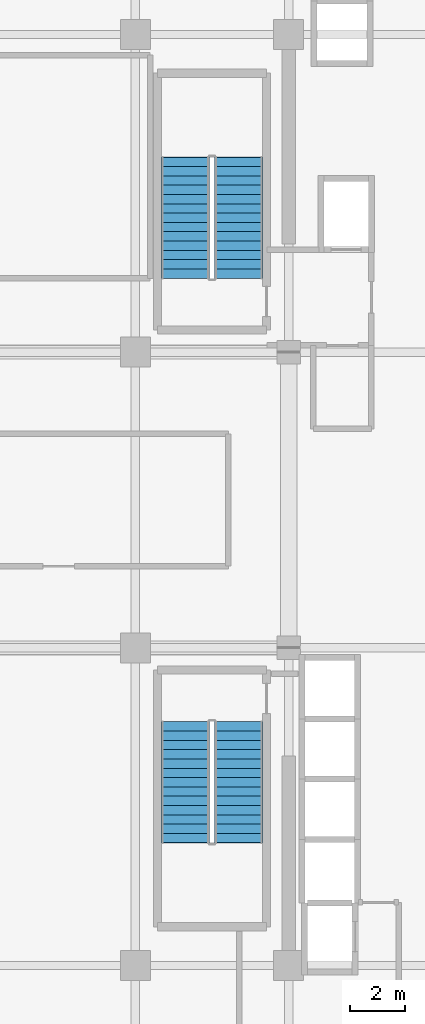
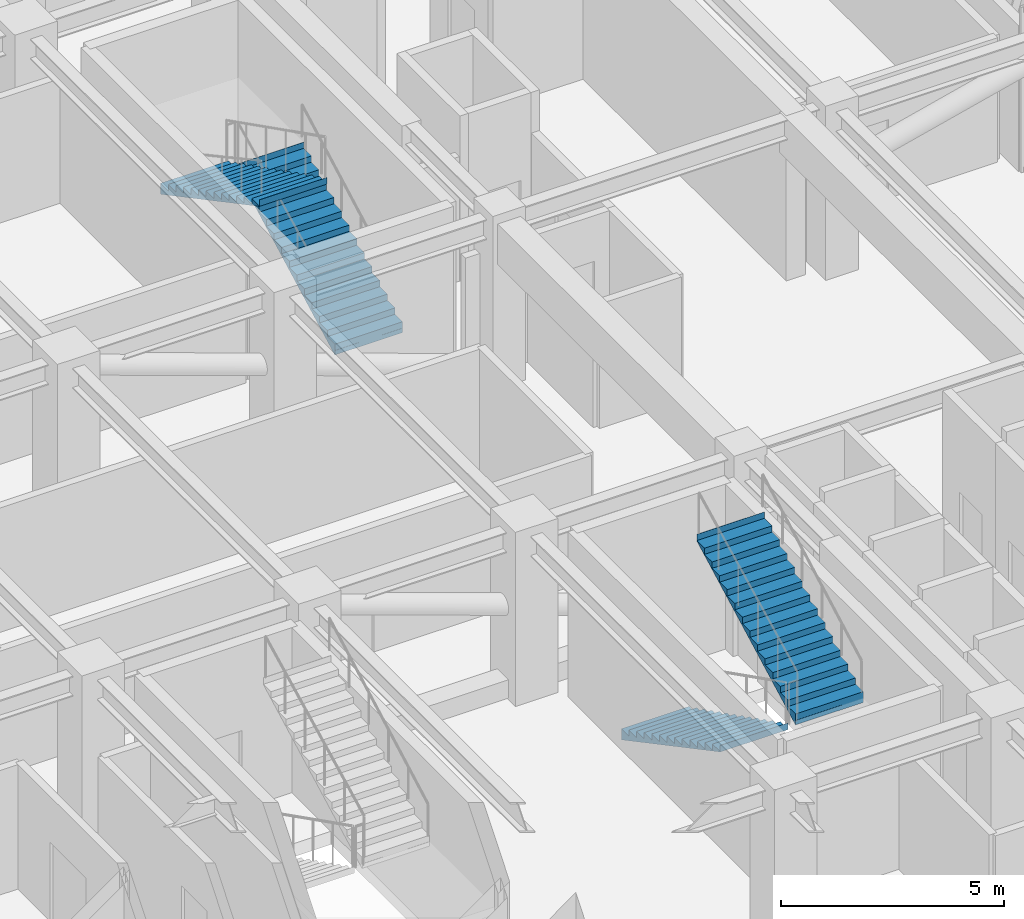
# One storey, part 12 of 16: 4 stair flights, 2 elements without a shape of their own.
"""IFC4 building model written with IfcOpenShell, lengths in metres."""

from ifc_helpers import new_model, si_unit, direction, frame, origin, place, context, subcontext, project, spatial, polyline, outline, extrude, source, transform, mapped, material, layer, layer_set, type_object, element, aggregate, save


model = new_model("IFC4")

# Units and contexts
model_context = context("Model", 3, precision=1e-05, world=origin(), true_north=direction((0.0, 1.0)))
body_context = subcontext(model_context, "Body", "Model", "MODEL_VIEW")
ifc_project = project(units=[si_unit("LENGTHUNIT", "METRE"), si_unit("AREAUNIT", "SQUARE_METRE"), si_unit("VOLUMEUNIT", "CUBIC_METRE"), si_unit("PLANEANGLEUNIT", "RADIAN"), si_unit("MASSUNIT", "GRAM", prefix="KILO")], contexts=[model_context])

# Site, building, storey
site_placement = place(None, origin())
site = spatial("IfcSite", under=ifc_project, at=site_placement, CompositionType="ELEMENT")
building_placement = place(site_placement, origin())
building = spatial("IfcBuilding", under=site, at=building_placement, Name="Nahalor Promenade Grand Hotel", CompositionType="ELEMENT")
storey_placement = place(building_placement, frame((0.0, 0.0, 200.10009765625)))
storey = spatial("IfcBuildingStorey", under=building, at=storey_placement, Name="L51", CompositionType="ELEMENT", Elevation=200.10009765625)

# Stair, stair flights
ifc_material = material(Name="Concrete B-50 (C40/50)", Category="concrete")
stair_type_1 = type_object("IfcStairType", Name="Stair-ST1", PredefinedType="HALF_TURN_STAIR", material=ifc_material)
stair_1_placement = place(storey_placement, origin())
stair_1 = element("IfcStair", 1, at=stair_1_placement, inside=storey, type_object=stair_type_1, Name="L51 ST1", PredefinedType="HALF_TURN_STAIR")
ifc_layer_1 = layer(ifc_material, 0.179931640625)
ifc_layer_set_1 = layer_set([ifc_layer_1], Name="Concrete B-50 (C40/50)")
stair_flight_type_1 = type_object("IfcStairFlightType", Name="Flight-ST1", PredefinedType="STRAIGHT", material=ifc_layer_set_1)
shared_shape_1 = source(origin(), body_context, "Body", "SweptSolid", [
    extrude(outline(polyline([(-0.00390625, -0.1201171875), (-0.00390625, 0.0), (0.0, 0.0), (0.0, 0.17138671875), (0.340087890625, 0.17138671875), (0.340087890625, 0.3427734375), (0.679931640625, 0.3427734375), (0.679931640625, 0.514404296875), (1.02001953125, 0.514404296875), (1.02001953125, 0.685791015625), (1.360107421875, 0.685791015625), (1.360107421875, 0.857177734375), (1.699951171875, 0.857177734375), (1.699951171875, 1.028564453125), (2.0400390625, 1.028564453125), (2.0400390625, 1.199951171875), (2.3798828125, 1.199951171875), (2.3798828125, 1.371337890625), (2.719970703125, 1.371337890625), (2.719970703125, 1.54296875), (3.06005859375, 1.54296875), (3.06005859375, 1.71435546875), (3.39990234375, 1.71435546875), (3.39990234375, 1.8857421875), (3.739990234375, 1.8857421875), (3.739990234375, 2.05712890625), (4.080078125, 2.05712890625), (4.080078125, 2.228515625), (4.419921875, 2.228515625), (4.419921875, 2.39990234375), (4.424072265625, 2.39990234375), (4.424072265625, 2.219970703125), (0.02001953125, -0.1201171875), (-0.00390625, -0.1201171875)])), frame((0.0, 0.875, 0.0), z_axis=(0.0, -1.0, 0.0), x_axis=(1.0, 0.0, 0.0)), (0.0, 0.0, 1.0), 1.75),
])
stair_flight_1_placement = place(storey_placement, frame((6.574951171875, 8.10009765625, 0.0), z_axis=(0.0, 0.0, 1.0), x_axis=(0.0, 1.0, 0.0)))
stair_flight_1 = element("IfcStairFlight", 2, at=stair_flight_1_placement, type_object=stair_flight_type_1, Name="ST1 flight 1", NumberOfRisers=14, NumberOfTreads=13, PredefinedType="STRAIGHT", RiserHeight=0.171428571, TreadLength=0.34, context=body_context, shape_type="MappedRepresentation", body=[
    mapped(shared_shape_1, transform((0.0, 0.0, 0.0), scale=1.0)),
])
stair_flight_2_placement = place(storey_placement, frame((4.625, 12.52001953125, 2.39990234375), z_axis=(0.0, 0.0, 1.0), x_axis=(0.0, -1.0, 0.0)))
stair_flight_2 = element("IfcStairFlight", 3, at=stair_flight_2_placement, type_object=stair_flight_type_1, Name="ST1 flight 2", NumberOfRisers=14, NumberOfTreads=13, PredefinedType="STRAIGHT", RiserHeight=0.171428571, TreadLength=0.34, context=body_context, shape_type="MappedRepresentation", body=[
    mapped(shared_shape_1, transform((0.0, 0.0, 0.0), scale=1.0)),
])
aggregate(stair_1, [stair_flight_1, stair_flight_2])

stair_type_2 = type_object("IfcStairType", Name="Stair-ST2", PredefinedType="HALF_TURN_STAIR", material=ifc_material)
stair_2_placement = place(storey_placement, origin())
stair_2 = element("IfcStair", 4, at=stair_2_placement, inside=storey, type_object=stair_type_2, Name="L51 ST2", PredefinedType="HALF_TURN_STAIR")
ifc_layer_2 = layer(ifc_material, 0.18994140625)
ifc_layer_set_2 = layer_set([ifc_layer_2], Name="Concrete B-50 (C40/50)")
stair_flight_type_2 = type_object("IfcStairFlightType", Name="Flight-ST2", PredefinedType="STRAIGHT", material=ifc_layer_set_2)
shared_shape_2 = source(origin(), body_context, "Body", "SweptSolid", [
    extrude(outline(polyline([(-0.00390625, -0.1201171875), (-0.00390625, 0.0), (0.0, 0.0), (0.0, 0.17138671875), (0.340087890625, 0.17138671875), (0.340087890625, 0.3427734375), (0.679931640625, 0.3427734375), (0.679931640625, 0.514404296875), (1.02001953125, 0.514404296875), (1.02001953125, 0.685791015625), (1.360107421875, 0.685791015625), (1.360107421875, 0.857177734375), (1.699951171875, 0.857177734375), (1.699951171875, 1.028564453125), (2.0400390625, 1.028564453125), (2.0400390625, 1.199951171875), (2.3798828125, 1.199951171875), (2.3798828125, 1.371337890625), (2.719970703125, 1.371337890625), (2.719970703125, 1.54296875), (3.06005859375, 1.54296875), (3.06005859375, 1.71435546875), (3.39990234375, 1.71435546875), (3.39990234375, 1.8857421875), (3.739990234375, 1.8857421875), (3.739990234375, 2.05712890625), (4.080078125, 2.05712890625), (4.080078125, 2.228515625), (4.419921875, 2.228515625), (4.419921875, 2.39990234375), (4.424072265625, 2.39990234375), (4.424072265625, 2.219970703125), (0.02001953125, -0.1201171875), (-0.00390625, -0.1201171875)])), frame((0.0, 0.875, 0.0), z_axis=(0.0, -1.0, 0.0), x_axis=(1.0, 0.0, 0.0)), (0.0, 0.0, 1.0), 1.75),
])
stair_flight_3_placement = place(storey_placement, frame((4.625, -8.10009765625, 0.0), z_axis=(0.0, 0.0, 1.0), x_axis=(0.0, -1.0, 0.0)))
stair_flight_3 = element("IfcStairFlight", 5, at=stair_flight_3_placement, type_object=stair_flight_type_2, Name="ST2 flight 1", NumberOfRisers=14, NumberOfTreads=13, PredefinedType="STRAIGHT", RiserHeight=0.171428571, TreadLength=0.34, context=body_context, shape_type="MappedRepresentation", body=[
    mapped(shared_shape_2, transform((0.0, 0.0, 0.0), scale=1.0)),
])
stair_flight_4_placement = place(storey_placement, frame((6.574951171875, -12.52001953125, 2.39990234375), z_axis=(0.0, 0.0, 1.0), x_axis=(0.0, 1.0, 0.0)))
stair_flight_4 = element("IfcStairFlight", 6, at=stair_flight_4_placement, type_object=stair_flight_type_2, Name="ST2 flight 2", NumberOfRisers=14, NumberOfTreads=13, PredefinedType="STRAIGHT", RiserHeight=0.171428571, TreadLength=0.34, context=body_context, shape_type="MappedRepresentation", body=[
    mapped(shared_shape_2, transform((0.0, 0.0, 0.0), scale=1.0)),
])
aggregate(stair_2, [stair_flight_3, stair_flight_4])

save(model, "model.ifc")
